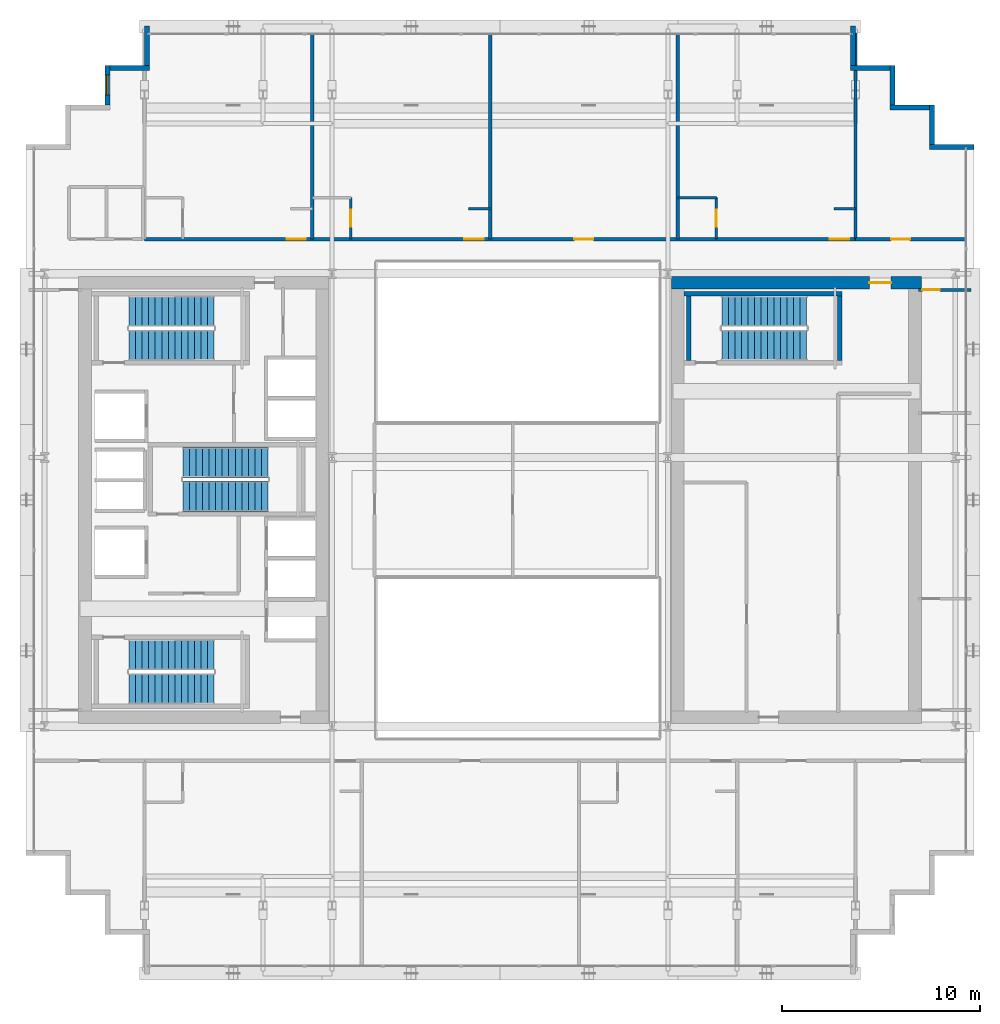
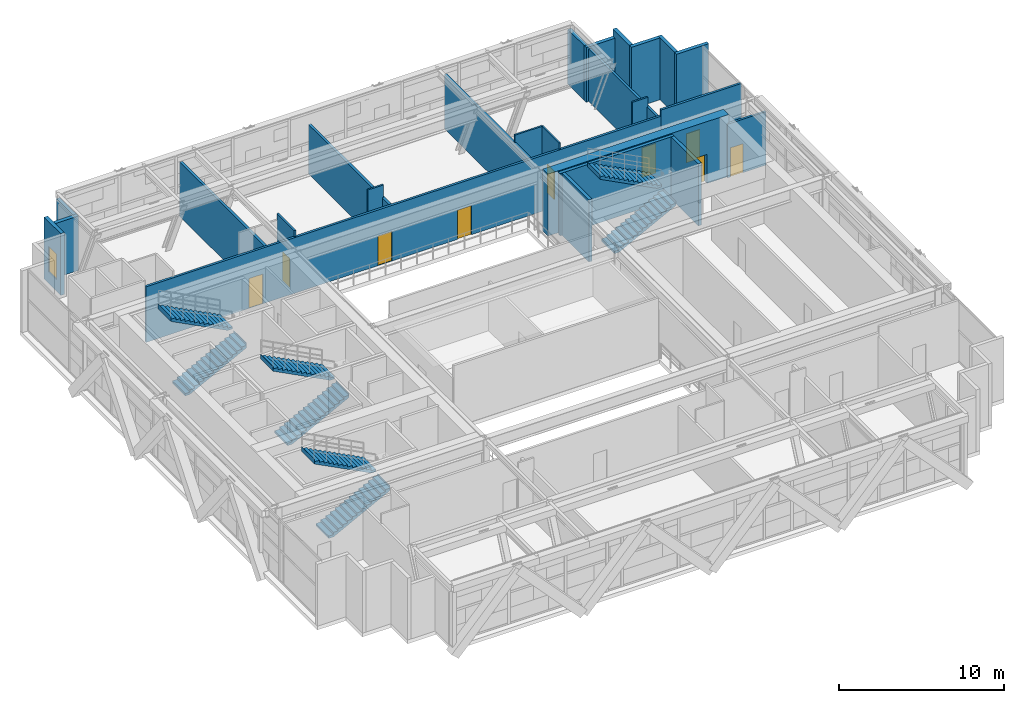
# One storey, part 31 of 35: 25 walls, 9 doors, 8 stair flights, 1 window, 10 openings, 4 elements without a shape of their own.
"""IFC4 building model written with IfcOpenShell, lengths in metres."""

from ifc_helpers import new_model, si_unit, direction, frame, frame_2d, origin, place, context, subcontext, project, spatial, polyline, rectangle, outline, extrude, source, transform, mapped, material, layer, layer_set, type_object, element, fill, aggregate, save


model = new_model("IFC4")

# Units and contexts
model_context = context("Model", 3, precision=1e-05, world=origin(), true_north=direction((0.0, 1.0)))
body_context = subcontext(model_context, "Body", "Model", "MODEL_VIEW")
ifc_project = project(units=[si_unit("LENGTHUNIT", "METRE"), si_unit("AREAUNIT", "SQUARE_METRE"), si_unit("VOLUMEUNIT", "CUBIC_METRE"), si_unit("PLANEANGLEUNIT", "RADIAN"), si_unit("MASSUNIT", "GRAM", prefix="KILO")], contexts=[model_context])

# Site, building, storey
site_placement = place(None, origin())
site = spatial("IfcSite", under=ifc_project, at=site_placement, CompositionType="ELEMENT")
building_placement = place(site_placement, origin())
building = spatial("IfcBuilding", under=site, at=building_placement, Name="Ocotamira Hotel", CompositionType="ELEMENT")
storey_placement = place(building_placement, frame((0.0, 0.0, 158.39990234375)))
storey = spatial("IfcBuildingStorey", under=building, at=storey_placement, Name="L39", CompositionType="ELEMENT", Elevation=158.39990234375)

# Wall, opening, door
ifc_material_1 = material(Name="Concrete C60/75", Category="concrete")
ifc_layer_1 = layer(ifc_material_1, 0.64990234375)
ifc_layer_set_1 = layer_set([ifc_layer_1], Name="Concrete C60/75")
wall_type_1 = type_object("IfcWallType", Name="WL-CORE-650", PredefinedType="SHEAR", material=ifc_layer_set_1)
wall_1_placement = place(storey_placement, frame((40.675048828125, 37.0, 0.0), z_axis=(0.0, 0.0, 1.0), x_axis=(1.0, 0.0, 0.0)))
wall_1 = element("IfcWall", 1, at=wall_1_placement, inside=storey, type_object=wall_type_1, Name="L39 Shear Core Wall ECORE-N", PredefinedType="SHEAR", context=body_context, shape_type="SweptSolid", body=[
    extrude(rectangle(XDim=12.64990234375, YDim=0.64990234375, at=frame_2d((6.324951171875, 0.0))), origin(), (0.0, 0.0, 1.0), 4.570068359375),
])
opening_1_placement = place(wall_1_placement, frame((10.02490234375, 0.0, 0.0)))
opening_1 = element("IfcOpeningElement", 2, at=opening_1_placement, cuts=wall_1, Name="Opening D-FR1", PredefinedType="OPENING", context=body_context, shape_type="SweptSolid", body=[
    extrude(rectangle(XDim=1.10009765625, YDim=2.14990234375, at=frame_2d((0.550048828125, 1.074951171875))), frame((0.0, 0.3349609375, 0.0), z_axis=(0.0, -1.0, 0.0), x_axis=(1.0, 0.0, 0.0)), (0.0, 0.0, 1.0), 0.669921875),
])
ifc_material_2 = material(Name="Fire-rated acoustic timber-veneer door", Category="wood")
door_type_1 = type_object("IfcDoorType", Name="DR-FIRE-1100", OperationType="NOTDEFINED", PredefinedType="DOOR", material=ifc_material_2)
shared_shape_1 = source(origin(), body_context, "Body", "SweptSolid", [
    extrude(rectangle(XDim=1.10009765625, YDim=2.14990234375, at=frame_2d((0.550048828125, 1.074951171875))), frame((0.0, 0.02490234375, 0.0), z_axis=(0.0, -1.0, 0.0), x_axis=(1.0, 0.0, 0.0)), (0.0, 0.0, 1.0), 0.050048828125),
])
door_1_placement = place(opening_1_placement, origin())
door_1 = element("IfcDoor", 3, at=door_1_placement, inside=storey, type_object=door_type_1, Name="L39 Door ID-L39-ELOB-N-D [ID-L39-ELOB-N-D]", OperationType="SINGLE_SWING_LEFT", OverallHeight=2.14990234375, OverallWidth=1.10009765625, PredefinedType="DOOR", context=body_context, shape_type="MappedRepresentation", body=[
    mapped(shared_shape_1, transform((0.0, 0.0, 0.0), scale=1.0)),
])
fill(opening_1, door_1)

# Walls
ifc_material_3 = material(Name="Precast concrete C45/55", Category="concrete")
ifc_layer_2 = layer(ifc_material_3, 0.25)
ifc_layer_set_2 = layer_set([ifc_layer_2], Name="Precast concrete C45/55")
wall_type_2 = type_object("IfcWallType", Name="WL-EXT-SER-250", PredefinedType="SOLIDWALL", material=ifc_layer_set_2)
wall_2_placement = place(storey_placement, frame((56.0, 43.875, 0.0), z_axis=(0.0, 0.0, 1.0), x_axis=(-1.0, 0.0, 0.0)))
element("IfcWall", 4, at=wall_2_placement, inside=storey, type_object=wall_type_2, Name="L39 Serrated Corner Wall 07", PredefinedType="SOLIDWALL", context=body_context, shape_type="SweptSolid", body=[
    extrude(rectangle(XDim=2.25, YDim=0.25, at=frame_2d((1.125, 0.0))), origin(), (0.0, 0.0, 1.0), 4.570068359375),
])
for number, where, z_axis, x_axis, name in (
    (5, (53.875, 44.0, 0.0), (0.0, 0.0, 1.0), (0.0, 1.0, 0.0), "L39 Serrated Corner Wall 08"),
    (6, (53.75, 45.875, 0.0), (0.0, 0.0, 1.0), (-1.0, 0.0, 0.0), "L39 Serrated Corner Wall 09"),
    (7, (51.875, 46.0, 0.0), (0.0, 0.0, 1.0), (0.0, 1.0, 0.0), "L39 Serrated Corner Wall 10"),
):
    element("IfcWall", number, at=place(storey_placement, frame(where, z_axis=z_axis, x_axis=x_axis)), inside=storey, type_object=wall_type_2, Name=name, PredefinedType="SOLIDWALL", context=body_context, shape_type="SweptSolid", body=[
        extrude(rectangle(XDim=2.0, YDim=0.25, at=frame_2d((1.0, 0.0))), origin(), (0.0, 0.0, 1.0), 4.570068359375),
    ])
for number, where, z_axis, x_axis, name in (
    (8, (51.75, 47.875, 0.0), (0.0, 0.0, 1.0), (-1.0, 0.0, 0.0), "L39 Serrated Corner Wall 11"),
    (9, (49.875, 48.0, 0.0), (0.0, 0.0, 1.0), (0.0, 1.0, 0.0), "L39 Serrated Corner Wall 12"),
    (10, (14.125, 50.0, 0.0), (0.0, 0.0, 1.0), (0.0, -1.0, 0.0), "L39 Serrated Corner Wall 13"),
    (11, (14.25, 47.875, 0.0), (0.0, 0.0, 1.0), (-1.0, 0.0, 0.0), "L39 Serrated Corner Wall 14"),
):
    element("IfcWall", number, at=place(storey_placement, frame(where, z_axis=z_axis, x_axis=x_axis)), inside=storey, type_object=wall_type_2, Name=name, PredefinedType="SOLIDWALL", context=body_context, shape_type="SweptSolid", body=[
        extrude(rectangle(XDim=2.0, YDim=0.25, at=frame_2d((1.0, 0.0))), origin(), (0.0, 0.0, 1.0), 4.033203125),
    ])

# Wall, opening, window
wall_3_placement = place(storey_placement, frame((12.125, 48.0, 0.0), z_axis=(0.0, 0.0, 1.0), x_axis=(0.0, -1.0, 0.0)))
wall_3 = element("IfcWall", 12, at=wall_3_placement, inside=storey, type_object=wall_type_2, Name="L39 Serrated Corner Wall 15", PredefinedType="SOLIDWALL", context=body_context, shape_type="SweptSolid", body=[
    extrude(rectangle(XDim=2.0, YDim=0.25, at=frame_2d((1.0, 0.0))), origin(), (0.0, 0.0, 1.0), 4.570068359375),
])
opening_2_placement = place(wall_3_placement, frame((0.5, 0.0, 0.85009765625)))
opening_2 = element("IfcOpeningElement", 13, at=opening_2_placement, cuts=wall_3, Name="Opening WN-2", PredefinedType="OPENING", context=body_context, shape_type="SweptSolid", body=[
    extrude(rectangle(XDim=1.0, YDim=1.89990234375, at=frame_2d((0.5, 0.949951171875))), frame((0.0, 0.135009765625, 0.0), z_axis=(0.0, -1.0, 0.0), x_axis=(1.0, 0.0, 0.0)), (0.0, 0.0, 1.0), 0.27001953125),
])
ifc_material_4 = material(Name="Double-silver low-E solar glass", Category="glass")
window_type = type_object("IfcWindowType", Name="WIN-SER-1100", PartitioningType="SINGLE_PANEL", PredefinedType="WINDOW", material=ifc_material_4)
shared_shape_2 = source(origin(), body_context, "Body", "SweptSolid", [
    extrude(rectangle(XDim=1.0, YDim=1.89990234375, at=frame_2d((0.5, 0.949951171875))), frame((0.0, 0.030029296875, 0.0), z_axis=(0.0, -1.0, 0.0), x_axis=(1.0, 0.0, 0.0)), (0.0, 0.0, 1.0), 0.06005859375),
])
window_placement = place(opening_2_placement, origin())
window = element("IfcWindow", 14, at=window_placement, inside=storey, type_object=window_type, Name="L39 Serrated Corner Window 15", OverallHeight=1.89990234375, OverallWidth=1.0, PartitioningType="SINGLE_PANEL", PredefinedType="WINDOW", context=body_context, shape_type="MappedRepresentation", body=[
    mapped(shared_shape_2, transform((0.0, 0.0, 0.0), scale=1.0)),
])
fill(opening_2, window)

# Wall, openings, doors
ifc_material_5 = material(Name="Acoustic double-layer fire gypsum board partition", Category="gypsum")
ifc_layer_3 = layer(ifc_material_5, 0.159912109375)
ifc_layer_set_3 = layer_set([ifc_layer_3], Name="Acoustic double-layer fire gypsum board partition")
wall_type_3 = type_object("IfcWallType", Name="WL-FIRE-160", PredefinedType="PARTITIONING", material=ifc_layer_set_3)
wall_4_placement = place(storey_placement, frame((14.0, 39.199951171875, 0.0), z_axis=(0.0, 0.0, 1.0), x_axis=(1.0, 0.0, 0.0)))
wall_4 = element("IfcWall", 15, at=wall_4_placement, inside=storey, type_object=wall_type_3, Name="L39 Interior Wall PW-L39-L39N-CORRW", PredefinedType="PARTITIONING", context=body_context, shape_type="SweptSolid", body=[
    extrude(rectangle(XDim=36.0, YDim=0.159912109375, at=frame_2d((18.0, 0.0))), origin(), (0.0, 0.0, 1.0), 4.113037109375),
])
opening_3_placement = place(wall_4_placement, frame((7.199951171875, 0.0, 0.0)))
opening_3 = element("IfcOpeningElement", 16, at=opening_3_placement, cuts=wall_4, Name="Opening D-GR2", PredefinedType="OPENING", context=body_context, shape_type="SweptSolid", body=[
    extrude(rectangle(XDim=0.97998046875, YDim=2.199951171875, at=frame_2d((0.489990234375, 1.10009765625))), frame((0.0, 0.08984375, 0.0), z_axis=(0.0, -1.0, 0.0), x_axis=(1.0, 0.0, 0.0)), (0.0, 0.0, 1.0), 0.179931640625),
])
opening_4_placement = place(wall_4_placement, frame((16.199951171875, 0.0, 0.0)))
opening_4 = element("IfcOpeningElement", 17, at=opening_4_placement, cuts=wall_4, Name="Opening D-GR2", PredefinedType="OPENING", context=body_context, shape_type="SweptSolid", body=[
    extrude(rectangle(XDim=0.97998046875, YDim=2.199951171875, at=frame_2d((0.489990234375, 1.10009765625))), frame((0.0, 0.08984375, 0.0), z_axis=(0.0, -1.0, 0.0), x_axis=(1.0, 0.0, 0.0)), (0.0, 0.0, 1.0), 0.179931640625),
])
opening_5_placement = place(wall_4_placement, frame((21.77001953125, 0.0, 0.0)))
opening_5 = element("IfcOpeningElement", 18, at=opening_5_placement, cuts=wall_4, Name="Opening D-SV4", PredefinedType="OPENING", context=body_context, shape_type="SweptSolid", body=[
    extrude(rectangle(XDim=0.9599609375, YDim=2.14990234375, at=frame_2d((0.47998046875, 1.074951171875))), frame((0.0, 0.08984375, 0.0), z_axis=(0.0, -1.0, 0.0), x_axis=(1.0, 0.0, 0.0)), (0.0, 0.0, 1.0), 0.179931640625),
])
opening_6_placement = place(wall_4_placement, frame((34.699951171875, 0.0, 0.0)))
opening_6 = element("IfcOpeningElement", 19, at=opening_6_placement, cuts=wall_4, Name="Opening D-GR2", PredefinedType="OPENING", context=body_context, shape_type="SweptSolid", body=[
    extrude(rectangle(XDim=0.97998046875, YDim=2.199951171875, at=frame_2d((0.489990234375, 1.10009765625))), frame((0.0, 0.08984375, 0.0), z_axis=(0.0, -1.0, 0.0), x_axis=(1.0, 0.0, 0.0)), (0.0, 0.0, 1.0), 0.179931640625),
])
ifc_material_6 = material(Name="Fire-rated accessible walnut salon door", Category="wood")
door_type_2 = type_object("IfcDoorType", Name="DR-SERV-960", OperationType="NOTDEFINED", PredefinedType="DOOR", material=ifc_material_6)
shared_shape_3 = source(origin(), body_context, "Body", "SweptSolid", [
    extrude(rectangle(XDim=0.9599609375, YDim=2.14990234375, at=frame_2d((0.47998046875, 1.074951171875))), frame((0.0, 0.02490234375, 0.0), z_axis=(0.0, -1.0, 0.0), x_axis=(1.0, 0.0, 0.0)), (0.0, 0.0, 1.0), 0.050048828125),
])
door_2_placement = place(opening_5_placement, origin())
door_2 = element("IfcDoor", 20, at=door_2_placement, inside=storey, type_object=door_type_2, Name="L39 Door ID-L39-L39N-AMD3 [ID-L39-L39N-AMD3]", OperationType="SINGLE_SWING_LEFT", OverallHeight=2.14990234375, OverallWidth=0.9599609375, PredefinedType="DOOR", context=body_context, shape_type="MappedRepresentation", body=[
    mapped(shared_shape_3, transform((0.0, 0.0, 0.0), scale=1.0)),
])
fill(opening_5, door_2)
ifc_material_7 = material(Name="Solid-core walnut grand-suite entrance fire door", Category="wood")
door_type_3 = type_object("IfcDoorType", Name="DR-GUEST-980", OperationType="NOTDEFINED", PredefinedType="DOOR", material=ifc_material_7)
shared_shape_4 = source(origin(), body_context, "Body", "SweptSolid", [
    extrude(rectangle(XDim=0.97998046875, YDim=2.199951171875, at=frame_2d((0.489990234375, 1.10009765625))), frame((0.0, 0.02490234375, 0.0), z_axis=(0.0, -1.0, 0.0), x_axis=(1.0, 0.0, 0.0)), (0.0, 0.0, 1.0), 0.050048828125),
])
door_3_placement = place(opening_3_placement, origin())
door_3 = element("IfcDoor", 21, at=door_3_placement, inside=storey, type_object=door_type_3, Name="L39 Door ID-L39-L39N-RMD1 [ID-L39-L39N-RMD1]", OperationType="SINGLE_SWING_LEFT", OverallHeight=2.199951171875, OverallWidth=0.97998046875, PredefinedType="DOOR", context=body_context, shape_type="MappedRepresentation", body=[
    mapped(shared_shape_4, transform((0.0, 0.0, 0.0), scale=1.0)),
])
fill(opening_3, door_3)
door_4_placement = place(opening_4_placement, origin())
door_4 = element("IfcDoor", 22, at=door_4_placement, inside=storey, type_object=door_type_3, Name="L39 Door ID-L39-L39N-RMD2 [ID-L39-L39N-RMD2]", OperationType="SINGLE_SWING_RIGHT", OverallHeight=2.199951171875, OverallWidth=0.97998046875, PredefinedType="DOOR", context=body_context, shape_type="MappedRepresentation", body=[
    mapped(shared_shape_4, transform((0.0, 0.0, 0.0), scale=1.0)),
])
fill(opening_4, door_4)
door_5_placement = place(opening_6_placement, origin())
door_5 = element("IfcDoor", 23, at=door_5_placement, inside=storey, type_object=door_type_3, Name="L39 Door ID-L39-L39N-RMD4 [ID-L39-L39N-RMD4]", OperationType="SINGLE_SWING_RIGHT", OverallHeight=2.199951171875, OverallWidth=0.97998046875, PredefinedType="DOOR", context=body_context, shape_type="MappedRepresentation", body=[
    mapped(shared_shape_4, transform((0.0, 0.0, 0.0), scale=1.0)),
])
fill(opening_6, door_5)

# Wall, opening, door
wall_5_placement = place(storey_placement, frame((50.0, 39.199951171875, 0.0), z_axis=(0.0, 0.0, 1.0), x_axis=(1.0, 0.0, 0.0)))
wall_5 = element("IfcWall", 24, at=wall_5_placement, inside=storey, type_object=wall_type_3, Name="L39 Interior Wall PW-L39-L39-CNESW", PredefinedType="PARTITIONING", context=body_context, shape_type="SweptSolid", body=[
    extrude(rectangle(XDim=5.6201171875, YDim=0.159912109375, at=frame_2d((2.81005859375, 0.0))), origin(), (0.0, 0.0, 1.0), 4.570068359375),
])
opening_7_placement = place(wall_5_placement, frame((1.800048828125, 0.0, 0.0)))
opening_7 = element("IfcOpeningElement", 25, at=opening_7_placement, cuts=wall_5, Name="Opening D-SV4", PredefinedType="OPENING", context=body_context, shape_type="SweptSolid", body=[
    extrude(rectangle(XDim=0.9599609375, YDim=2.14990234375, at=frame_2d((0.47998046875, 1.074951171875))), frame((0.0, 0.08984375, 0.0), z_axis=(0.0, -1.0, 0.0), x_axis=(1.0, 0.0, 0.0)), (0.0, 0.0, 1.0), 0.179931640625),
])
door_6_placement = place(opening_7_placement, origin())
door_6 = element("IfcDoor", 26, at=door_6_placement, inside=storey, type_object=door_type_2, Name="L39 Door ID-L39-L39-CNESD [ID-L39-L39-CNESD]", OperationType="SINGLE_SWING_LEFT", OverallHeight=2.14990234375, OverallWidth=0.9599609375, PredefinedType="DOOR", context=body_context, shape_type="MappedRepresentation", body=[
    mapped(shared_shape_3, transform((0.0, 0.0, 0.0), scale=1.0)),
])
fill(opening_7, door_6)

ifc_material_8 = material(Name="Moisture-resistant en-suite tile and gypsum partition", Category="gypsum")
ifc_layer_4 = layer(ifc_material_8, 0.1201171875)
ifc_layer_set_4 = layer_set([ifc_layer_4], Name="Moisture-resistant en-suite tile and gypsum partition")
wall_type_4 = type_object("IfcWallType", Name="WL-PART-120", PredefinedType="PARTITIONING", material=ifc_layer_set_4)
wall_6_placement = place(storey_placement, frame((24.449951171875, 39.199951171875, 0.0), z_axis=(0.0, 0.0, 1.0), x_axis=(0.0, 1.0, 0.0)))
wall_6 = element("IfcWall", 27, at=wall_6_placement, inside=storey, type_object=wall_type_4, Name="L39 Interior Wall PW-L39-L39N-BAE2", PredefinedType="PARTITIONING", context=body_context, shape_type="SweptSolid", body=[
    extrude(rectangle(XDim=2.10009765625, YDim=0.1201171875, at=frame_2d((1.050048828125, 0.0))), origin(), (0.0, 0.0, 1.0), 4.570068359375),
])
opening_8_placement = place(wall_6_placement, frame((0.6201171875, 0.0, 0.0)))
opening_8 = element("IfcOpeningElement", 28, at=opening_8_placement, cuts=wall_6, Name="Opening D-BA1", PredefinedType="OPENING", context=body_context, shape_type="SweptSolid", body=[
    extrude(rectangle(XDim=0.860107421875, YDim=2.10009765625, at=frame_2d((0.43017578125, 1.050048828125))), frame((0.0, 0.070068359375, 0.0), z_axis=(0.0, -1.0, 0.0), x_axis=(1.0, 0.0, 0.0)), (0.0, 0.0, 1.0), 0.14013671875),
])
ifc_material_9 = material(Name="Moisture-sealed en-suite timber door", Category="wood")
door_type_4 = type_object("IfcDoorType", Name="DR-BATH-860", OperationType="NOTDEFINED", PredefinedType="DOOR", material=ifc_material_9)
shared_shape_5 = source(origin(), body_context, "Body", "SweptSolid", [
    extrude(rectangle(XDim=0.860107421875, YDim=2.10009765625, at=frame_2d((0.43017578125, 1.050048828125))), frame((0.0, 0.02490234375, 0.0), z_axis=(0.0, -1.0, 0.0), x_axis=(1.0, 0.0, 0.0)), (0.0, 0.0, 1.0), 0.050048828125),
])
door_7_placement = place(opening_8_placement, origin())
door_7 = element("IfcDoor", 29, at=door_7_placement, inside=storey, type_object=door_type_4, Name="L39 Door ID-L39-L39N-BAD2 [ID-L39-L39N-BAD2]", OperationType="SINGLE_SWING_LEFT", OverallHeight=2.10009765625, OverallWidth=0.860107421875, PredefinedType="DOOR", context=body_context, shape_type="MappedRepresentation", body=[
    mapped(shared_shape_5, transform((0.0, 0.0, 0.0), scale=1.0)),
])
fill(opening_8, door_7)

# Wall
wall_7_placement = place(storey_placement, frame((30.39990234375, 40.75, 0.0), z_axis=(0.0, 0.0, 1.0), x_axis=(1.0, 0.0, 0.0)))
element("IfcWall", 30, at=wall_7_placement, inside=storey, type_object=wall_type_4, Name="L39 Interior Wall PW-L39-L39N-DRN2", PredefinedType="PARTITIONING", context=body_context, shape_type="SweptSolid", body=[
    extrude(rectangle(XDim=1.10009765625, YDim=0.1201171875, at=frame_2d((0.550048828125, 0.0))), origin(), (0.0, 0.0, 1.0), 4.570068359375),
])

# Wall, opening, door
wall_8_placement = place(storey_placement, frame((42.949951171875, 39.199951171875, 0.0), z_axis=(0.0, 0.0, 1.0), x_axis=(0.0, 1.0, 0.0)))
wall_8 = element("IfcWall", 31, at=wall_8_placement, inside=storey, type_object=wall_type_4, Name="L39 Interior Wall PW-L39-L39N-BAE4", PredefinedType="PARTITIONING", context=body_context, shape_type="SweptSolid", body=[
    extrude(rectangle(XDim=2.10009765625, YDim=0.1201171875, at=frame_2d((1.050048828125, 0.0))), origin(), (0.0, 0.0, 1.0), 4.570068359375),
])
opening_9_placement = place(wall_8_placement, frame((0.6201171875, 0.0, 0.0)))
opening_9 = element("IfcOpeningElement", 32, at=opening_9_placement, cuts=wall_8, Name="Opening D-BA1", PredefinedType="OPENING", context=body_context, shape_type="SweptSolid", body=[
    extrude(rectangle(XDim=0.860107421875, YDim=2.10009765625, at=frame_2d((0.43017578125, 1.050048828125))), frame((0.0, 0.070068359375, 0.0), z_axis=(0.0, -1.0, 0.0), x_axis=(1.0, 0.0, 0.0)), (0.0, 0.0, 1.0), 0.14013671875),
])
door_8_placement = place(opening_9_placement, origin())
door_8 = element("IfcDoor", 33, at=door_8_placement, inside=storey, type_object=door_type_4, Name="L39 Door ID-L39-L39N-BAD4 [ID-L39-L39N-BAD4]", OperationType="SINGLE_SWING_LEFT", OverallHeight=2.10009765625, OverallWidth=0.860107421875, PredefinedType="DOOR", context=body_context, shape_type="MappedRepresentation", body=[
    mapped(shared_shape_5, transform((0.0, 0.0, 0.0), scale=1.0)),
])
fill(opening_9, door_8)

# Walls
wall_9_placement = place(storey_placement, frame((41.0, 41.300048828125, 0.0), z_axis=(0.0, 0.0, 1.0), x_axis=(1.0, 0.0, 0.0)))
element("IfcWall", 34, at=wall_9_placement, inside=storey, type_object=wall_type_4, Name="L39 Interior Wall PW-L39-L39N-BAN4", PredefinedType="PARTITIONING", context=body_context, shape_type="SweptSolid", body=[
    extrude(rectangle(XDim=1.949951171875, YDim=0.1201171875, at=frame_2d((0.97509765625, 0.0))), origin(), (0.0, 0.0, 1.0), 4.570068359375),
])
wall_10_placement = place(storey_placement, frame((48.89990234375, 40.75, 0.0), z_axis=(0.0, 0.0, 1.0), x_axis=(1.0, 0.0, 0.0)))
element("IfcWall", 35, at=wall_10_placement, inside=storey, type_object=wall_type_4, Name="L39 Interior Wall PW-L39-L39N-DRN4", PredefinedType="PARTITIONING", context=body_context, shape_type="SweptSolid", body=[
    extrude(rectangle(XDim=1.10009765625, YDim=0.1201171875, at=frame_2d((0.550048828125, 0.0))), origin(), (0.0, 0.0, 1.0), 4.570068359375),
])

# Wall, opening, door
ifc_material_10 = material(Name="Acoustic hospitality gypsum board partition", Category="gypsum")
ifc_layer_5 = layer(ifc_material_10, 0.14990234375)
ifc_layer_set_5 = layer_set([ifc_layer_5], Name="Acoustic hospitality gypsum board partition")
wall_type_5 = type_object("IfcWallType", Name="WL-PART-150", PredefinedType="PARTITIONING", material=ifc_layer_set_5)
wall_11_placement = place(storey_placement, frame((53.179931640625, 36.639892578125, 0.0), z_axis=(0.0, 0.0, 1.0), x_axis=(1.0, 0.0, 0.0)))
wall_11 = element("IfcWall", 36, at=wall_11_placement, inside=storey, type_object=wall_type_5, Name="L39 Interior Wall PW-L39-L39E-WN", PredefinedType="PARTITIONING", context=body_context, shape_type="SweptSolid", body=[
    extrude(rectangle(XDim=2.66015625, YDim=0.14990234375, at=frame_2d((1.330078125, 0.0))), origin(), (0.0, 0.0, 1.0), 3.953125),
])
opening_10_placement = place(wall_11_placement, frame((0.199951171875, 0.0, 0.0)))
opening_10 = element("IfcOpeningElement", 37, at=opening_10_placement, cuts=wall_11, Name="Opening D-SV2", PredefinedType="OPENING", context=body_context, shape_type="SweptSolid", body=[
    extrude(rectangle(XDim=0.8798828125, YDim=2.14990234375, at=frame_2d((0.43994140625, 1.074951171875))), frame((0.0, 0.0849609375, 0.0), z_axis=(0.0, -1.0, 0.0), x_axis=(1.0, 0.0, 0.0)), (0.0, 0.0, 1.0), 0.169921875),
])
ifc_material_11 = material(Name="Fire-rated painted steel service door", Category="steel")
door_type_5 = type_object("IfcDoorType", Name="DR-SERV-880", OperationType="NOTDEFINED", PredefinedType="DOOR", material=ifc_material_11)
shared_shape_6 = source(origin(), body_context, "Body", "SweptSolid", [
    extrude(rectangle(XDim=0.8798828125, YDim=2.14990234375, at=frame_2d((0.43994140625, 1.074951171875))), frame((0.0, 0.02490234375, 0.0), z_axis=(0.0, -1.0, 0.0), x_axis=(1.0, 0.0, 0.0)), (0.0, 0.0, 1.0), 0.050048828125),
])
door_9_placement = place(opening_10_placement, origin())
door_9 = element("IfcDoor", 38, at=door_9_placement, inside=storey, type_object=door_type_5, Name="L39 Door ID-L39-L39E-DN [ID-L39-L39E-DN]", OperationType="SINGLE_SWING_LEFT", OverallHeight=2.14990234375, OverallWidth=0.8798828125, PredefinedType="DOOR", context=body_context, shape_type="MappedRepresentation", body=[
    mapped(shared_shape_6, transform((0.0, 0.0, 0.0), scale=1.0)),
])
fill(opening_10, door_9)

# Walls
ifc_material_12 = material(Name="Acoustic double-stud hospitality gypsum partition", Category="gypsum")
ifc_layer_6 = layer(ifc_material_12, 0.159912109375)
ifc_layer_set_6 = layer_set([ifc_layer_6], Name="Acoustic double-stud hospitality gypsum partition")
wall_type_6 = type_object("IfcWallType", Name="WL-PART-160", PredefinedType="PARTITIONING", material=ifc_layer_set_6)
wall_12_placement = place(storey_placement, frame((50.0, 39.199951171875, 0.0), z_axis=(0.0, 0.0, 1.0), x_axis=(0.0, 1.0, 0.0)))
element("IfcWall", 39, at=wall_12_placement, inside=storey, type_object=wall_type_6, Name="L39 Interior Wall PW-L39-L39N-PWEND", PredefinedType="PARTITIONING", context=body_context, shape_type="SweptSolid", body=[
    extrude(rectangle(XDim=10.43994140625, YDim=0.159912109375, at=frame_2d((5.219970703125, 0.0))), origin(), (0.0, 0.0, 1.0), 3.877197265625),
])
wall_13_placement = place(storey_placement, frame((41.0, 39.199951171875, 0.0), z_axis=(0.0, 0.0, 1.0), x_axis=(0.0, 1.0, 0.0)))
element("IfcWall", 40, at=wall_13_placement, inside=storey, type_object=wall_type_6, Name="L39 Interior Wall PW-L39-L39N-PW3", PredefinedType="PARTITIONING", context=body_context, shape_type="SweptSolid", body=[
    extrude(rectangle(XDim=10.43994140625, YDim=0.159912109375, at=frame_2d((5.219970703125, 0.0))), origin(), (0.0, 0.0, 1.0), 4.033203125),
])
ifc_material_13 = material(Name="Double-stud suite party gypsum partition", Category="gypsum")
ifc_layer_7 = layer(ifc_material_13, 0.175048828125)
ifc_layer_set_7 = layer_set([ifc_layer_7], Name="Double-stud suite party gypsum partition")
wall_type_7 = type_object("IfcWallType", Name="WL-PART-175", PredefinedType="PARTITIONING", material=ifc_layer_set_7)
wall_14_placement = place(storey_placement, frame((22.5, 39.199951171875, 0.0), z_axis=(0.0, 0.0, 1.0), x_axis=(0.0, 1.0, 0.0)))
element("IfcWall", 41, at=wall_14_placement, inside=storey, type_object=wall_type_7, Name="L39 Interior Wall PW-L39-L39N-PW1", PredefinedType="PARTITIONING", context=body_context, shape_type="SweptSolid", body=[
    extrude(rectangle(XDim=10.43994140625, YDim=0.175048828125, at=frame_2d((5.219970703125, 0.0))), origin(), (0.0, 0.0, 1.0), 4.033203125),
])
wall_15_placement = place(storey_placement, frame((31.5, 39.199951171875, 0.0), z_axis=(0.0, 0.0, 1.0), x_axis=(0.0, 1.0, 0.0)))
element("IfcWall", 42, at=wall_15_placement, inside=storey, type_object=wall_type_7, Name="L39 Interior Wall PW-L39-L39N-PW2", PredefinedType="PARTITIONING", context=body_context, shape_type="SweptSolid", body=[
    extrude(rectangle(XDim=10.43994140625, YDim=0.175048828125, at=frame_2d((5.219970703125, 0.0))), origin(), (0.0, 0.0, 1.0), 3.64306640625),
])
ifc_material_14 = material(Name="Concrete C50/60", Category="concrete")
ifc_layer_8 = layer(ifc_material_14, 0.219970703125)
ifc_layer_set_8 = layer_set([ifc_layer_8], Name="Concrete C50/60")
wall_type_8 = type_object("IfcWallType", Name="WL-STAIR-220", PredefinedType="SHEAR", material=ifc_layer_set_8)
wall_16_placement = place(storey_placement, frame((41.324951171875, 36.43994140625, 0.0), z_axis=(0.0, 0.0, 1.0), x_axis=(1.0, 0.0, 0.0)))
element("IfcWall", 43, at=wall_16_placement, inside=storey, type_object=wall_type_8, Name="L39 Stair Shaft Structural Wall ST-4-N", PredefinedType="SHEAR", context=body_context, shape_type="SweptSolid", body=[
    extrude(rectangle(XDim=7.985107421875, YDim=0.219970703125, at=frame_2d((3.99267578125, 0.0))), origin(), (0.0, 0.0, 1.0), 4.60009765625),
])
for number, where, z_axis, x_axis, name in (
    (44, (41.56005859375, 33.050048828125, 0.0), (0.0, 0.0, 1.0), (0.0, 1.0, 0.0), "L39 Stair Shaft Structural Wall ST-4-W"),
    (45, (49.199951171875, 33.050048828125, 0.0), (0.0, 0.0, 1.0), (0.0, 1.0, 0.0), "L39 Stair Shaft Structural Wall ST-4-E"),
):
    element("IfcWall", number, at=place(storey_placement, frame(where, z_axis=z_axis, x_axis=x_axis)), inside=storey, type_object=wall_type_8, Name=name, PredefinedType="SHEAR", context=body_context, shape_type="SweptSolid", body=[
        extrude(rectangle(XDim=3.280029296875, YDim=0.219970703125, at=frame_2d((1.64013671875, 0.0))), origin(), (0.0, 0.0, 1.0), 4.60009765625),
    ])

# Stair, stair flights
ifc_material_15 = material(Name="Concrete C40/50", Category="concrete")
stair_type = type_object("IfcStairType", Name="ST-CORE-1560", PredefinedType="HALF_TURN_STAIR", material=ifc_material_15)
stair_1_placement = place(storey_placement, origin())
stair_1 = element("IfcStair", 46, at=stair_1_placement, inside=storey, type_object=stair_type, Name="L39 Exit Stair ST-1", PredefinedType="HALF_TURN_STAIR")
stair_flight_type = type_object("IfcStairFlightType", Name="STF-CORE-1560", PredefinedType="STRAIGHT", material=ifc_material_15)
shared_shape_7 = source(origin(), body_context, "Body", "SweptSolid", [
    extrude(outline(polyline([(-0.00390625, 0.0), (-0.00390625, 0.17138671875), (0.330078125, 0.17138671875), (0.330078125, 0.3427734375), (0.659912109375, 0.3427734375), (0.659912109375, 0.514404296875), (0.989990234375, 0.514404296875), (0.989990234375, 0.685791015625), (1.320068359375, 0.685791015625), (1.320068359375, 0.857177734375), (1.64990234375, 0.857177734375), (1.64990234375, 1.028564453125), (1.97998046875, 1.028564453125), (1.97998046875, 1.199951171875), (2.31005859375, 1.199951171875), (2.31005859375, 1.371337890625), (2.639892578125, 1.371337890625), (2.639892578125, 1.54296875), (2.969970703125, 1.54296875), (2.969970703125, 1.71435546875), (3.300048828125, 1.71435546875), (3.300048828125, 1.8857421875), (3.6298828125, 1.8857421875), (3.6298828125, 2.05712890625), (3.9599609375, 2.05712890625), (3.9599609375, 2.228515625), (4.2900390625, 2.228515625), (4.2900390625, 2.39990234375), (4.2939453125, 2.39990234375), (4.2939453125, 2.0595703125), (0.3251953125, 0.0), (-0.00390625, 0.0)])), frame((0.0, 0.780029296875, 0.0), z_axis=(0.0, -1.0, 0.0), x_axis=(1.0, 0.0, 0.0)), (0.0, 0.0, 1.0), 1.56005859375),
])
stair_flight_1_placement = place(storey_placement, frame((13.22998046875, 16.449951171875, 0.0), z_axis=(0.0, 0.0, 1.0), x_axis=(1.0, 0.0, 0.0)))
stair_flight_1 = element("IfcStairFlight", 47, at=stair_flight_1_placement, type_object=stair_flight_type, Name="ST-1 flight 1", NumberOfRisers=14, NumberOfTreads=13, PredefinedType="STRAIGHT", RiserHeight=0.171428571, TreadLength=0.33, context=body_context, shape_type="MappedRepresentation", body=[
    mapped(shared_shape_7, transform((0.0, 0.0, 0.0), scale=1.0)),
])
stair_flight_2_placement = place(storey_placement, frame((17.52001953125, 18.169921875, 2.400146484375), z_axis=(0.0, 0.0, 1.0), x_axis=(-1.0, 0.0, 0.0)))
stair_flight_2 = element("IfcStairFlight", 48, at=stair_flight_2_placement, type_object=stair_flight_type, Name="ST-1 flight 2", NumberOfRisers=14, NumberOfTreads=13, PredefinedType="STRAIGHT", RiserHeight=0.171428571, TreadLength=0.33, context=body_context, shape_type="MappedRepresentation", body=[
    mapped(shared_shape_7, transform((0.0, 0.0, 0.0), scale=1.0)),
])
aggregate(stair_1, [stair_flight_1, stair_flight_2])

stair_2_placement = place(storey_placement, origin())
stair_2 = element("IfcStair", 49, at=stair_2_placement, inside=storey, type_object=stair_type, Name="L39 Exit Stair ST-2", PredefinedType="HALF_TURN_STAIR")
stair_flight_3_placement = place(storey_placement, frame((13.22998046875, 33.830078125, 0.0), z_axis=(0.0, 0.0, 1.0), x_axis=(1.0, 0.0, 0.0)))
stair_flight_3 = element("IfcStairFlight", 50, at=stair_flight_3_placement, type_object=stair_flight_type, Name="ST-2 flight 1", NumberOfRisers=14, NumberOfTreads=13, PredefinedType="STRAIGHT", RiserHeight=0.171428571, TreadLength=0.33, context=body_context, shape_type="MappedRepresentation", body=[
    mapped(shared_shape_7, transform((0.0, 0.0, 0.0), scale=1.0)),
])
stair_flight_4_placement = place(storey_placement, frame((17.52001953125, 35.550048828125, 2.400146484375), z_axis=(0.0, 0.0, 1.0), x_axis=(-1.0, 0.0, 0.0)))
stair_flight_4 = element("IfcStairFlight", 51, at=stair_flight_4_placement, type_object=stair_flight_type, Name="ST-2 flight 2", NumberOfRisers=14, NumberOfTreads=13, PredefinedType="STRAIGHT", RiserHeight=0.171428571, TreadLength=0.33, context=body_context, shape_type="MappedRepresentation", body=[
    mapped(shared_shape_7, transform((0.0, 0.0, 0.0), scale=1.0)),
])
aggregate(stair_2, [stair_flight_3, stair_flight_4])

stair_3_placement = place(storey_placement, origin())
stair_3 = element("IfcStair", 52, at=stair_3_placement, inside=storey, type_object=stair_type, Name="L39 Exit Stair ST-3", PredefinedType="HALF_TURN_STAIR")
stair_flight_5_placement = place(storey_placement, frame((15.9599609375, 26.179931640625, 0.0), z_axis=(0.0, 0.0, 1.0), x_axis=(1.0, 0.0, 0.0)))
stair_flight_5 = element("IfcStairFlight", 53, at=stair_flight_5_placement, type_object=stair_flight_type, Name="ST-3 flight 1", NumberOfRisers=14, NumberOfTreads=13, PredefinedType="STRAIGHT", RiserHeight=0.171428571, TreadLength=0.33, context=body_context, shape_type="MappedRepresentation", body=[
    mapped(shared_shape_7, transform((0.0, 0.0, 0.0), scale=1.0)),
])
stair_flight_6_placement = place(storey_placement, frame((20.25, 27.89990234375, 2.400146484375), z_axis=(0.0, 0.0, 1.0), x_axis=(-1.0, 0.0, 0.0)))
stair_flight_6 = element("IfcStairFlight", 54, at=stair_flight_6_placement, type_object=stair_flight_type, Name="ST-3 flight 2", NumberOfRisers=14, NumberOfTreads=13, PredefinedType="STRAIGHT", RiserHeight=0.171428571, TreadLength=0.33, context=body_context, shape_type="MappedRepresentation", body=[
    mapped(shared_shape_7, transform((0.0, 0.0, 0.0), scale=1.0)),
])
aggregate(stair_3, [stair_flight_5, stair_flight_6])

stair_4_placement = place(storey_placement, origin())
stair_4 = element("IfcStair", 55, at=stair_4_placement, inside=storey, type_object=stair_type, Name="L39 Exit Stair ST-4", PredefinedType="HALF_TURN_STAIR")
stair_flight_7_placement = place(storey_placement, frame((43.22998046875, 33.830078125, 0.0), z_axis=(0.0, 0.0, 1.0), x_axis=(1.0, 0.0, 0.0)))
stair_flight_7 = element("IfcStairFlight", 56, at=stair_flight_7_placement, type_object=stair_flight_type, Name="ST-4 flight 1", NumberOfRisers=14, NumberOfTreads=13, PredefinedType="STRAIGHT", RiserHeight=0.171428571, TreadLength=0.33, context=body_context, shape_type="MappedRepresentation", body=[
    mapped(shared_shape_7, transform((0.0, 0.0, 0.0), scale=1.0)),
])
stair_flight_8_placement = place(storey_placement, frame((47.52001953125, 35.550048828125, 2.400146484375), z_axis=(0.0, 0.0, 1.0), x_axis=(-1.0, 0.0, 0.0)))
stair_flight_8 = element("IfcStairFlight", 57, at=stair_flight_8_placement, type_object=stair_flight_type, Name="ST-4 flight 2", NumberOfRisers=14, NumberOfTreads=13, PredefinedType="STRAIGHT", RiserHeight=0.171428571, TreadLength=0.33, context=body_context, shape_type="MappedRepresentation", body=[
    mapped(shared_shape_7, transform((0.0, 0.0, 0.0), scale=1.0)),
])
aggregate(stair_4, [stair_flight_7, stair_flight_8])

save(model, "model.ifc")
